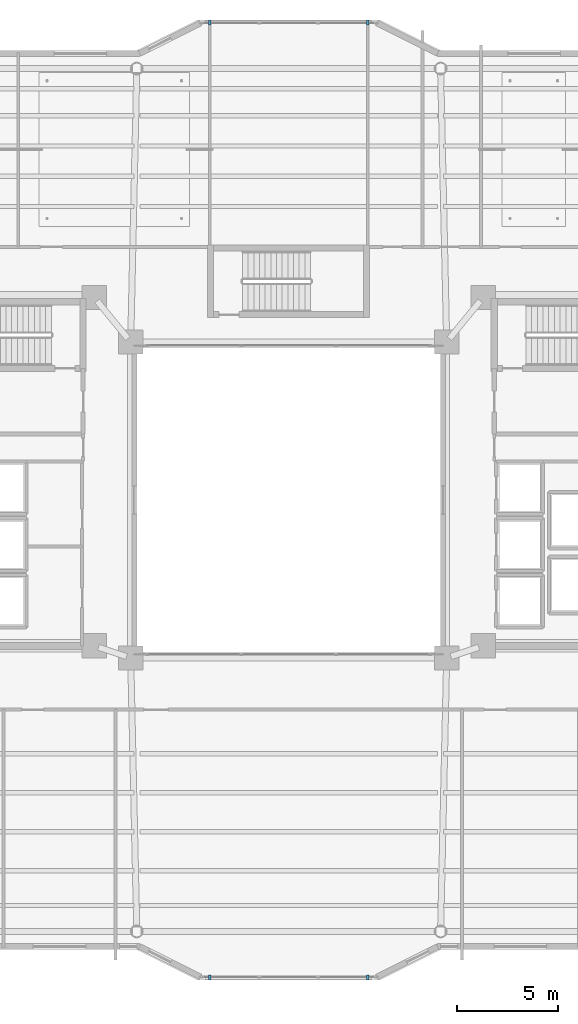
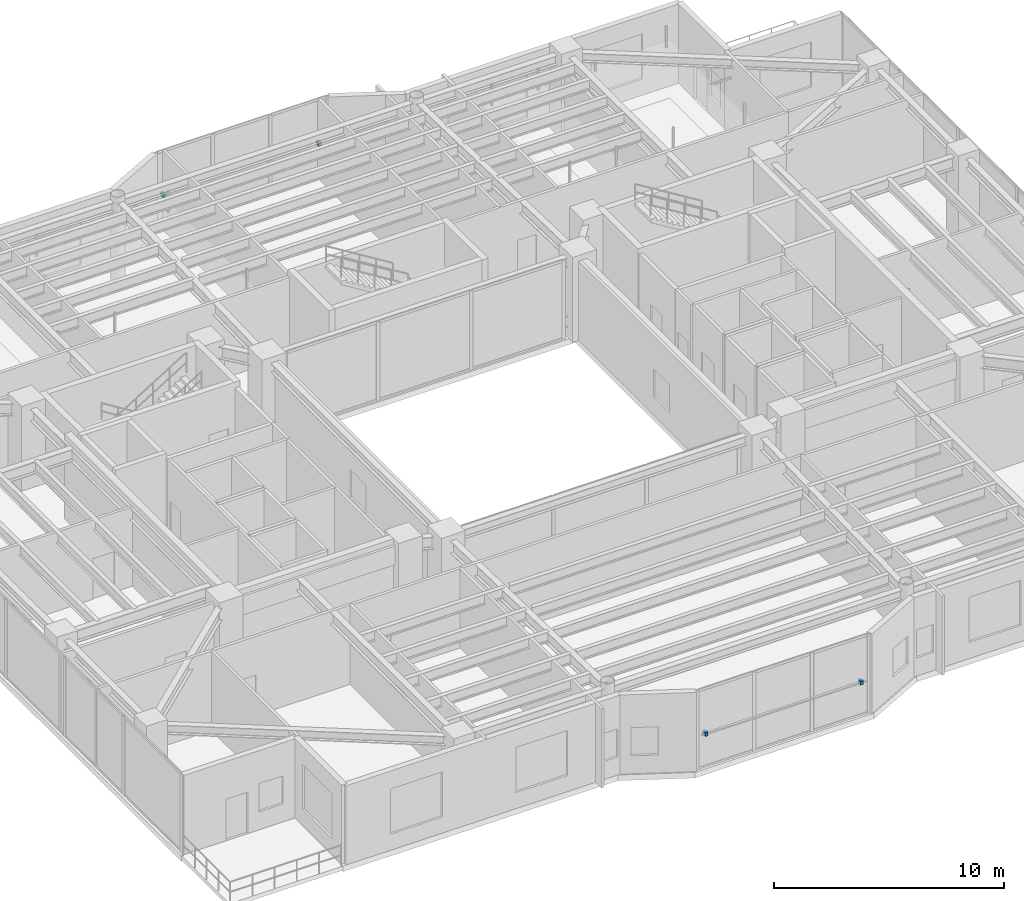
# One storey, part 33 of 37: 4 discrete accessories.
"""IFC4 building model written with IfcOpenShell, lengths in metres."""

from ifc_helpers import new_model, si_unit, direction, frame, origin, origin_2d, place, context, subcontext, project, spatial, rectangle, extrude, material, type_object, element, save


model = new_model("IFC4")

# Units and contexts
model_context = context("Model", 3, precision=1e-05, world=origin(), true_north=direction((0.0, 1.0)))
body_context = subcontext(model_context, "Body", "Model", "MODEL_VIEW")
ifc_project = project(units=[si_unit("LENGTHUNIT", "METRE"), si_unit("AREAUNIT", "SQUARE_METRE"), si_unit("VOLUMEUNIT", "CUBIC_METRE"), si_unit("PLANEANGLEUNIT", "RADIAN"), si_unit("MASSUNIT", "GRAM", prefix="KILO")], contexts=[model_context])

# Site, building, storey
site_placement = place(None, origin())
site = spatial("IfcSite", under=ifc_project, at=site_placement, CompositionType="ELEMENT")
building_placement = place(site_placement, origin())
building = spatial("IfcBuilding", under=site, at=building_placement, Name="Tarnavaz Court Tower", CompositionType="ELEMENT")
storey_placement = place(building_placement, frame((0.0, 0.0, 118.5)))
storey = spatial("IfcBuildingStorey", under=building, at=storey_placement, Name="L32", CompositionType="ELEMENT", Elevation=118.5)

# Discrete accessories
ifc_material = material(Name="Anodised Aluminium 6063-T6", Category="aluminium")
discrete_accessory_type = type_object("IfcDiscreteAccessoryType", Name="DA-BRKT-ALU", PredefinedType="BRACKET", material=ifc_material)
for number, where, z_axis, x_axis, name in (
    (1, (-3.89990234375, 23.570068359375, 1.7001953125), (0.0, 0.0, 1.0), (1.0, 0.0, 0.0), "L32 Baguette Outrigger Bracket PBG7-1"),
    (2, (3.89990234375, 23.570068359375, 1.7001953125), (0.0, 0.0, 1.0), (1.0, 0.0, 0.0), "L32 Baguette Outrigger Bracket PBG7-2"),
    (3, (3.89990234375, -23.570068359375, 1.7001953125), (0.0, 0.0, 1.0), (-1.0, 0.0, 0.0), "L32 Baguette Outrigger Bracket PBG17-1"),
    (4, (-3.89990234375, -23.570068359375, 1.7001953125), (0.0, 0.0, 1.0), (-1.0, 0.0, 0.0), "L32 Baguette Outrigger Bracket PBG17-2"),
):
    element("IfcDiscreteAccessory", number, at=place(storey_placement, frame(where, z_axis=z_axis, x_axis=x_axis)), inside=storey, type_object=discrete_accessory_type, Name=name, PredefinedType="BRACKET", context=body_context, shape_type="SweptSolid", body=[
        extrude(rectangle(XDim=0.139892578125, YDim=0.239990234375, at=origin_2d()), origin(), (0.0, 0.0, 1.0), 0.199951171875),
    ])

save(model, "model.ifc")
